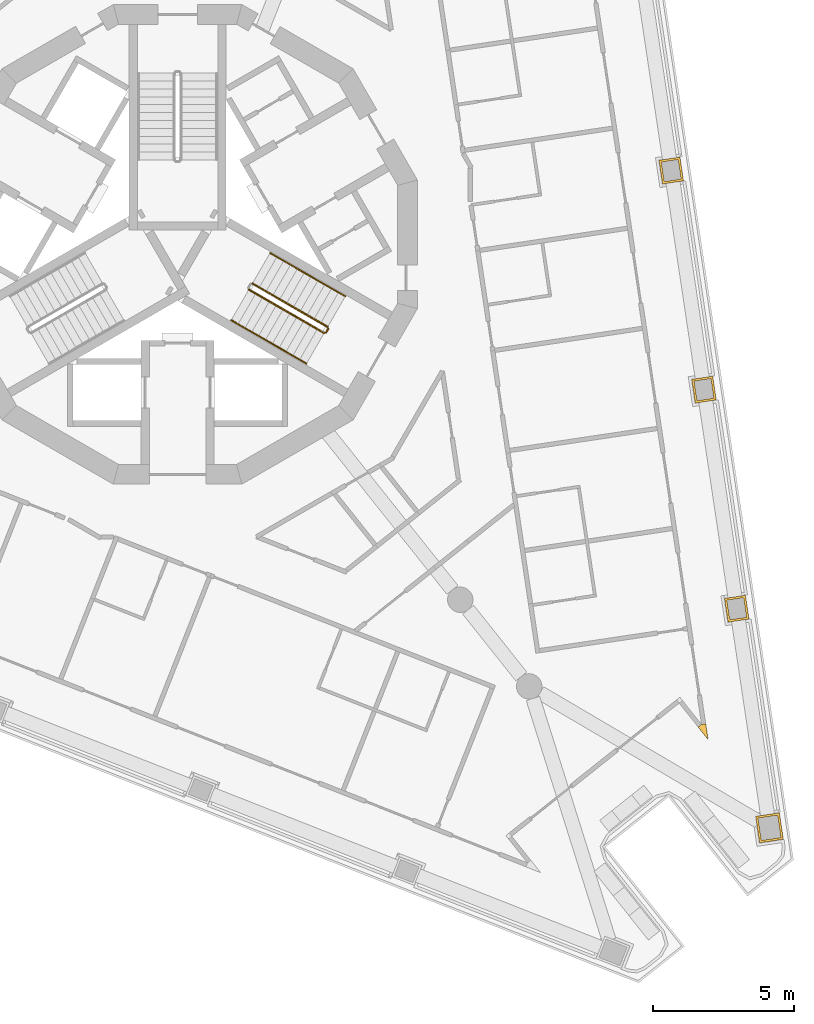
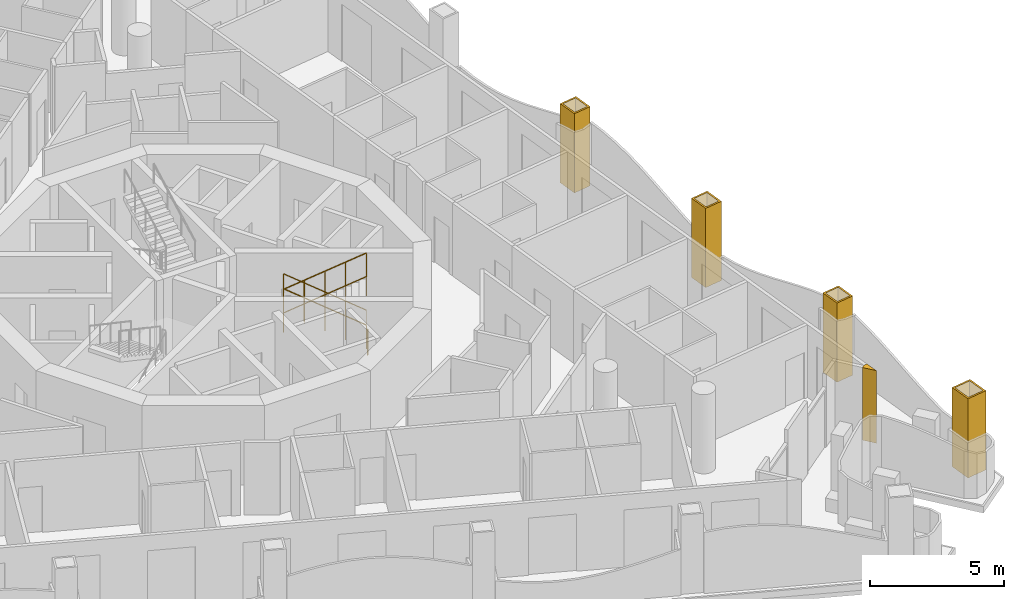
# One storey, part 15 of 17: 7 railings, 5 coverings.
"""IFC4 building model written with IfcOpenShell, lengths in metres."""

from ifc_helpers import new_model, si_unit, direction, frame, origin, origin_2d, place, context, subcontext, project, spatial, polyline, circle, outline, extrude, material, layer, layer_set, type_object, element, save


model = new_model("IFC4")

# Units and contexts
model_context = context("Model", 3, precision=1e-05, world=origin(), true_north=direction((0.0, 1.0)))
body_context = subcontext(model_context, "Body", "Model", "MODEL_VIEW")
ifc_project = project(units=[si_unit("LENGTHUNIT", "METRE"), si_unit("AREAUNIT", "SQUARE_METRE"), si_unit("VOLUMEUNIT", "CUBIC_METRE"), si_unit("PLANEANGLEUNIT", "RADIAN"), si_unit("MASSUNIT", "GRAM", prefix="KILO")], contexts=[model_context])

# Site, building, storey
site_placement = place(None, origin())
site = spatial("IfcSite", under=ifc_project, at=site_placement, CompositionType="ELEMENT")
building_placement = place(site_placement, origin())
building = spatial("IfcBuilding", under=site, at=building_placement, Name="Trine Commons Tower", CompositionType="ELEMENT")
storey_placement = place(building_placement, frame((0.0, 0.0, 212.39990234375)))
storey = spatial("IfcBuildingStorey", under=building, at=storey_placement, Name="L55", CompositionType="ELEMENT", Elevation=212.39990234375)

# Coverings
ifc_material_1 = material(Name="Aluminium-framed insulated wall panel", Category="aluminium")
ifc_layer_1 = layer(ifc_material_1, 0.14990234375)
ifc_layer_set_1 = layer_set([ifc_layer_1], Name="Aluminium-framed insulated wall panel")
covering_type_1 = type_object("IfcCoveringType", Name="Glazing corner post, aluminium", PredefinedType="CLADDING", material=ifc_layer_set_1)
covering_1_placement = place(storey_placement, origin())
element("IfcCovering", 1, at=covering_1_placement, inside=storey, type_object=covering_type_1, Name="Glazing corner post 6-06", PredefinedType="CLADDING", context=body_context, shape_type="SweptSolid", body=[
    extrude(outline(polyline([(98.4521484375, 45.390625), (98.800537109375, 44.95263671875), (98.718017578125, 45.506103515625), (98.569580078125, 45.484130859375), (98.4521484375, 45.390625)])), origin(), (0.0, 0.0, 1.0), 3.300048828125),
])
ifc_material_2 = material(Name="Limestone, honed", Category="masonry")
ifc_layer_2 = layer(ifc_material_2, 0.074951171875)
ifc_layer_set_2 = layer_set([ifc_layer_2], Name="Limestone, honed")
covering_type_2 = type_object("IfcCoveringType", Name="Limestone column cladding 75", PredefinedType="CLADDING", material=ifc_layer_set_2)
covering_2_placement = place(storey_placement, origin())
element("IfcCovering", 2, at=covering_2_placement, inside=storey, type_object=covering_type_2, Name="Limestone pier cladding 6-18", PredefinedType="CLADDING", context=body_context, shape_type="SweptSolid", body=[
    extrude(outline(polyline([(97.80419921875, 65.590576171875), (97.0625, 65.479736328125), (97.18798828125, 64.638916015625), (97.9296875, 64.75), (97.80419921875, 65.590576171875)]), holes=[polyline([(97.7412109375, 65.50537109375), (97.147705078125, 65.41650390625), (97.251220703125, 64.724365234375), (97.844482421875, 64.81298828125), (97.7412109375, 65.50537109375)])]), origin(), (0.0, 0.0, 1.0), 3.60009765625),
])
covering_3_placement = place(storey_placement, origin())
element("IfcCovering", 3, at=covering_3_placement, inside=storey, type_object=covering_type_2, Name="Limestone pier cladding 6-19", PredefinedType="CLADDING", context=body_context, shape_type="SweptSolid", body=[
    extrude(outline(polyline([(98.964599609375, 57.826171875), (98.222900390625, 57.71533203125), (98.348388671875, 56.87451171875), (99.090087890625, 56.985595703125), (98.964599609375, 57.826171875)]), holes=[polyline([(98.901611328125, 57.740966796875), (98.30810546875, 57.652099609375), (98.41162109375, 56.9599609375), (99.0048828125, 57.048583984375), (98.901611328125, 57.740966796875)])]), origin(), (0.0, 0.0, 1.0), 3.60009765625),
])
covering_4_placement = place(storey_placement, origin())
element("IfcCovering", 4, at=covering_4_placement, inside=storey, type_object=covering_type_2, Name="Limestone pier cladding 6-20", PredefinedType="CLADDING", context=body_context, shape_type="SweptSolid", body=[
    extrude(outline(polyline([(100.125, 50.06201171875), (99.38330078125, 49.950927734375), (99.5087890625, 49.1103515625), (100.25048828125, 49.22119140625), (100.125, 50.06201171875)]), holes=[polyline([(100.06201171875, 49.9765625), (99.468505859375, 49.887939453125), (99.572021484375, 49.195556640625), (100.165283203125, 49.2841796875), (100.06201171875, 49.9765625)])]), origin(), (0.0, 0.0, 1.0), 3.60009765625),
])
covering_5_placement = place(storey_placement, origin())
element("IfcCovering", 5, at=covering_5_placement, inside=storey, type_object=covering_type_2, Name="Limestone pier cladding 6-21", PredefinedType="CLADDING", context=body_context, shape_type="SweptSolid", body=[
    extrude(outline(polyline([(101.327392578125, 42.354248046875), (100.48681640625, 42.228759765625), (100.627197265625, 41.2890625), (101.4677734375, 41.414794921875), (101.327392578125, 42.354248046875)]), holes=[polyline([(101.264404296875, 42.26904296875), (100.572021484375, 42.16552734375), (100.690185546875, 41.37451171875), (101.382568359375, 41.477783203125), (101.264404296875, 42.26904296875)])]), origin(), (0.0, 0.0, 1.0), 3.60009765625),
])

# Railings
ifc_material_3 = material(Name="Stainless steel balustrade", Category="steel")
railing_type_1 = type_object("IfcRailingType", Name="Stair guard, steel balustrade 1100", PredefinedType="GUARDRAIL", material=ifc_material_3)
railing_1_placement = place(storey_placement, frame((85.31982421875, 59.572998046875, 0.150146484375)))
element("IfcRailing", 6, at=railing_1_placement, inside=storey, type_object=railing_type_1, Name="L55 ST3C stair guard 1", PredefinedType="GUARDRAIL", context=body_context, shape_type="SweptSolid", body=[
    extrude(circle(Radius=0.02392578125, at=origin_2d()), frame((0.0, 0.0, 1.076171875), z_axis=(-0.76340495495, 0.440743040072, 0.472184759798), x_axis=(-0.499992328818, -0.866029832698, 0.0)), (0.0, 0.0, 1.0), 3.494140625),
    extrude(circle(Radius=0.02099609375, at=origin_2d()), origin(), (0.0, 0.0, 1.0), 1.052001953125),
    extrude(circle(Radius=0.02099609375, at=origin_2d()), frame((-0.6669921875, 0.385009765625, 0.41259765625)), (0.0, 0.0, 1.0), 1.052001953125),
    extrude(circle(Radius=0.02099609375, at=origin_2d()), frame((-1.333740234375, 0.77001953125, 0.824951171875)), (0.0, 0.0, 1.0), 1.052001953125),
    extrude(circle(Radius=0.02099609375, at=origin_2d()), frame((-2.00048828125, 1.155029296875, 1.2373046875)), (0.0, 0.0, 1.0), 1.052001953125),
    extrude(circle(Radius=0.02099609375, at=origin_2d()), frame((-2.66748046875, 1.5400390625, 1.64990234375)), (0.0, 0.0, 1.0), 1.052001953125),
])
railing_2_placement = place(storey_placement, frame((82.52734375, 60.896484375, 1.9501953125)))
element("IfcRailing", 7, at=railing_2_placement, inside=storey, type_object=railing_type_1, Name="L55 ST3C stair guard 3", PredefinedType="GUARDRAIL", context=body_context, shape_type="SweptSolid", body=[
    extrude(circle(Radius=0.02392578125, at=origin_2d()), frame((0.0, 0.0, 1.076171875), z_axis=(0.76340495495, -0.440743040072, 0.472184759798), x_axis=(0.499992328818, 0.866029832698, 0.0)), (0.0, 0.0, 1.0), 3.494140625),
    extrude(circle(Radius=0.02099609375, at=origin_2d()), origin(), (0.0, 0.0, 1.0), 1.052001953125),
    extrude(circle(Radius=0.02099609375, at=origin_2d()), frame((0.6669921875, -0.385009765625, 0.41259765625)), (0.0, 0.0, 1.0), 1.052001953125),
    extrude(circle(Radius=0.02099609375, at=origin_2d()), frame((1.333740234375, -0.77001953125, 0.824951171875)), (0.0, 0.0, 1.0), 1.052001953125),
    extrude(circle(Radius=0.02099609375, at=origin_2d()), frame((2.00048828125, -1.155029296875, 1.2373046875)), (0.0, 0.0, 1.0), 1.052001953125),
    extrude(circle(Radius=0.02099609375, at=origin_2d()), frame((2.66748046875, -1.5400390625, 1.64990234375)), (0.0, 0.0, 1.0), 1.052001953125),
])
railing_3_placement = place(storey_placement, frame((85.338134765625, 59.504638671875, 0.0)))
element("IfcRailing", 8, at=railing_3_placement, inside=storey, type_object=railing_type_1, Name="L55 ST3C stair guard 4", PredefinedType="GUARDRAIL", context=body_context, shape_type="SweptSolid", body=[
    extrude(circle(Radius=0.02392578125, at=origin_2d()), frame((0.0, 0.0, 1.076171875), z_axis=(-0.499816412211, -0.866131372301, 0.0), x_axis=(0.866131372301, -0.499816412211, 0.0)), (0.0, 0.0, 1.0), 0.14990234375),
    extrude(circle(Radius=0.02099609375, at=origin_2d()), origin(), (0.0, 0.0, 1.0), 1.052001953125),
    extrude(circle(Radius=0.02099609375, at=origin_2d()), frame((-0.074951171875, -0.1298828125, 0.0)), (0.0, 0.0, 1.0), 1.052001953125),
])
ifc_material_4 = material(Name="Stainless steel handrail", Category="steel")
railing_type_2 = type_object("IfcRailingType", Name="Stair handrail, steel 900", PredefinedType="HANDRAIL", material=ifc_material_4)
for number, where, name in (
    (9, (85.94482421875, 60.655517578125, 0.150146484375), "L55 ST3C stair handrail 1"),
    (10, (84.611083984375, 61.425537109375, 0.97509765625), "L55 ST3C stair handrail 2"),
):
    element("IfcRailing", number, at=place(storey_placement, frame(where)), inside=storey, type_object=railing_type_2, Name=name, PredefinedType="HANDRAIL", context=body_context, shape_type="SweptSolid", body=[
        extrude(circle(Radius=0.02099609375, at=origin_2d()), frame((0.0, 0.0, 0.87890625), z_axis=(-0.76340495495, 0.440743040072, 0.472184759798), x_axis=(-0.499992328818, -0.866029832698, 0.0)), (0.0, 0.0, 1.0), 1.7470703125),
        extrude(circle(Radius=0.01513671875, at=origin_2d()), origin(), (0.0, 0.0, 1.0), 0.85791015625),
        extrude(circle(Radius=0.01513671875, at=origin_2d()), frame((-0.6669921875, 0.385009765625, 0.41259765625)), (0.0, 0.0, 1.0), 0.85791015625),
        extrude(circle(Radius=0.01513671875, at=origin_2d()), frame((-1.333740234375, 0.77001953125, 0.824951171875)), (0.0, 0.0, 1.0), 0.85791015625),
    ])
for number, where, name in (
    (11, (81.90234375, 59.81396484375, 1.9501953125), "L55 ST3C stair handrail 3"),
    (12, (83.236083984375, 59.0439453125, 2.775146484375), "L55 ST3C stair handrail 4"),
):
    element("IfcRailing", number, at=place(storey_placement, frame(where)), inside=storey, type_object=railing_type_2, Name=name, PredefinedType="HANDRAIL", context=body_context, shape_type="SweptSolid", body=[
        extrude(circle(Radius=0.02099609375, at=origin_2d()), frame((0.0, 0.0, 0.87890625), z_axis=(0.76340495495, -0.440743040072, 0.472184759798), x_axis=(0.499992328818, 0.866029832698, 0.0)), (0.0, 0.0, 1.0), 1.7470703125),
        extrude(circle(Radius=0.01513671875, at=origin_2d()), origin(), (0.0, 0.0, 1.0), 0.85791015625),
        extrude(circle(Radius=0.01513671875, at=origin_2d()), frame((0.6669921875, -0.385009765625, 0.41259765625)), (0.0, 0.0, 1.0), 0.85791015625),
        extrude(circle(Radius=0.01513671875, at=origin_2d()), frame((1.333740234375, -0.77001953125, 0.824951171875)), (0.0, 0.0, 1.0), 0.85791015625),
    ])

save(model, "model.ifc")
